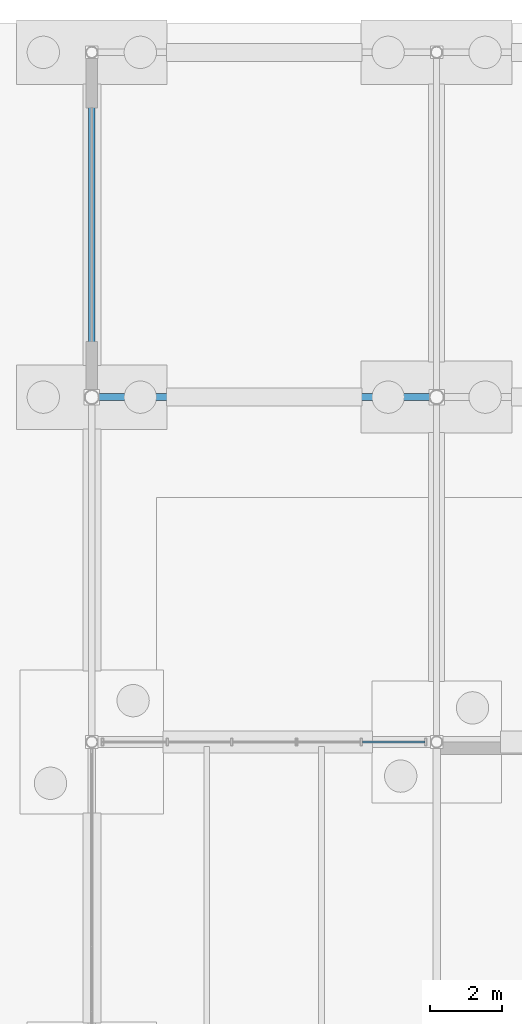
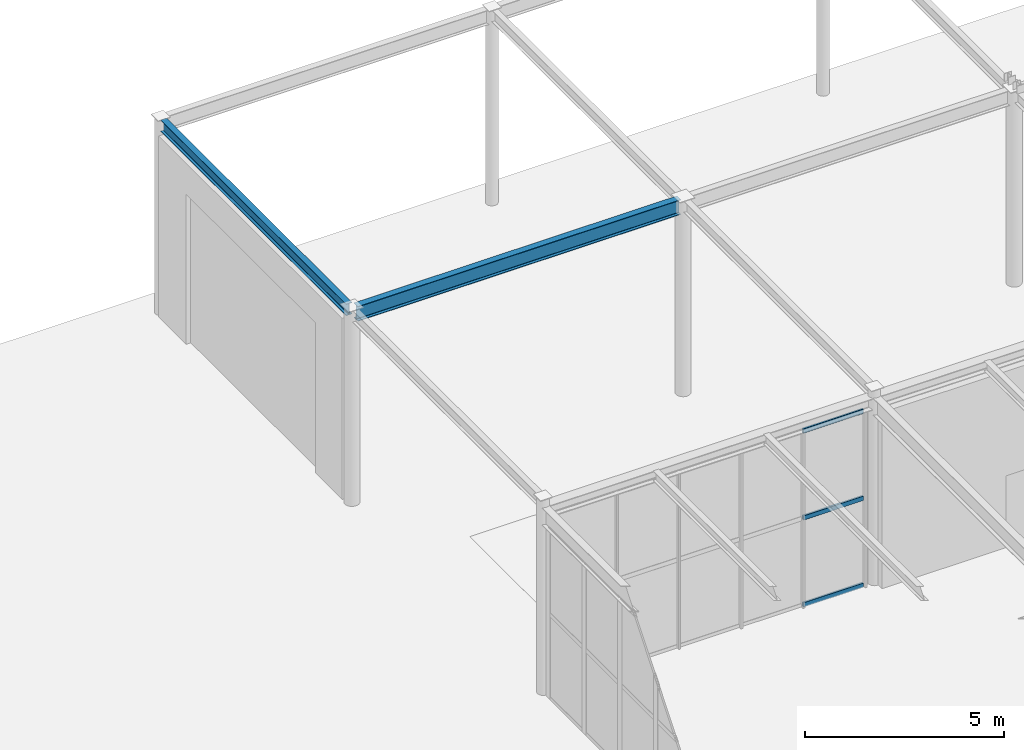
# One storey, part 76 of 142: 3 members, 2 beams, 1 element without a shape of its own.
"""IFC4 building model written with IfcOpenShell, lengths in metres."""

import ifcopenshell
import ifcopenshell.guid

model = None  # the IFC model being written
_history = None  # IfcOwnerHistory: only IFC2X3 demands one
_inside = {}  # id of a spatial element -> (the spatial element, [elements in it])
_under = {}  # id of a project, library or spatial element -> (it, [spatial elements below it])
_declared = {}  # id of a project -> (the project, [libraries it declares])
_typed = {}  # id of a type object -> (the type object, [elements of that type])
_made_of = {}  # id of a material, layer set ... -> (it, [elements and type objects made of it])


def new_model(schema):
    """Start an empty IFC model of exactly this schema.

    Asked for "IFC4X3", IfcOpenShell would pick the latest addendum, in which some entities
    have other attributes; the version numbers below select the first issue.
    IFC2X3 requires an IfcOwnerHistory on every rooted entity: one is made here for all.
    """
    global model, _history
    if schema == "IFC4X3":
        model = ifcopenshell.file(schema_version=(4, 3, 0, 0))
    else:
        model = ifcopenshell.file(schema=schema)
    _inside.clear()
    _under.clear()
    _declared.clear()
    _typed.clear()
    _made_of.clear()
    _history = None
    if model.schema == "IFC2X3":
        org = make("IfcOrganization", Name="unknown")
        user = make(
            "IfcPersonAndOrganization",
            ThePerson=make("IfcPerson", FamilyName="unknown"),
            TheOrganization=org,
        )
        app = make(
            "IfcApplication",
            ApplicationDeveloper=org,
            Version="unknown",
            ApplicationFullName="unknown",
            ApplicationIdentifier="unknown",
        )
        _history = make(
            "IfcOwnerHistory",
            OwningUser=user,
            OwningApplication=app,
            ChangeAction="ADDED",
            CreationDate=0,
        )
    return model


def make(cls, **values):
    """One entity of the class cls with the attributes given. An attribute that is None is left unset."""
    return model.create_entity(
        cls, **{name: value for name, value in values.items() if value is not None}
    )


def rooted(cls, **values):
    """An entity with a GlobalId (a new one), such as an element, a storey or a relation."""
    return make(cls, GlobalId=ifcopenshell.guid.new(), OwnerHistory=_history, **values)


def si_unit(unit_type, name, prefix=None):
    """IfcSIUnit, for example si_unit("LENGTHUNIT", "METRE", prefix="MILLI")."""
    return make("IfcSIUnit", UnitType=unit_type, Prefix=prefix, Name=name)


def assignment(units):
    """IfcUnitAssignment: the units of a project."""
    return None if units is None else make("IfcUnitAssignment", Units=units)


def point(xyz):
    """IfcCartesianPoint."""
    return None if xyz is None else make("IfcCartesianPoint", Coordinates=xyz)


def direction(xyz):
    """IfcDirection."""
    return None if xyz is None else make("IfcDirection", DirectionRatios=xyz)


def frame(location, z_axis=None, x_axis=None):
    """IfcAxis2Placement3D, a coordinate frame: its origin and axes. An axis left out is left unset."""
    return make(
        "IfcAxis2Placement3D",
        Location=point(location),
        Axis=direction(z_axis),
        RefDirection=direction(x_axis),
    )


def frame_2d(location, x_axis=None):
    """IfcAxis2Placement2D, a coordinate frame in the plane: its origin and x axis."""
    return make(
        "IfcAxis2Placement2D", Location=point(location), RefDirection=direction(x_axis)
    )


def origin():
    """The frame at (0, 0, 0) with its axes left unset."""
    return frame((0.0, 0.0, 0.0))


def origin_2d():
    """The frame at (0, 0) in the plane with its x axis left unset."""
    return frame_2d((0.0, 0.0))


def place(relative_to, where):
    """IfcLocalPlacement: puts the frame where relative to a parent placement (None: the world)."""
    return make(
        "IfcLocalPlacement", PlacementRelTo=relative_to, RelativePlacement=where
    )


def context(
    kind, dimensions, precision=None, world=None, true_north=None, identifier=None
):
    """IfcGeometricRepresentationContext, for example the 3D "Model" context."""
    return make(
        "IfcGeometricRepresentationContext",
        ContextIdentifier=identifier,
        ContextType=kind,
        CoordinateSpaceDimension=dimensions,
        Precision=precision,
        WorldCoordinateSystem=world,
        TrueNorth=true_north,
    )


def subcontext(parent, identifier, kind, view, scale=None):
    """IfcGeometricRepresentationSubContext, for example "Body" below "Model"."""
    return make(
        "IfcGeometricRepresentationSubContext",
        ContextIdentifier=identifier,
        ContextType=kind,
        ParentContext=parent,
        TargetScale=scale,
        TargetView=view,
    )


def project(units=None, contexts=None):
    """IfcProject with its units and contexts."""
    return rooted(
        "IfcProject",
        Name="project",
        RepresentationContexts=contexts,
        UnitsInContext=assignment(units),
    )


def spatial(cls, under=None, at=None, **own):
    """A site, building, storey or space (cls), placed at a placement, below another one or the project."""
    s = rooted(cls, ObjectPlacement=at, **own)
    if under is not None:
        _under.setdefault(under.id(), (under, []))[1].append(s)
    return s


def profile(cls, at=None, kind="AREA", **sizes):
    """A parametric profile (cls). Its sizes go by their IFC names, for example OverallWidth=200.0."""
    return make(cls, ProfileType=kind, Position=at, **sizes)


def hollow_rectangle(**sizes):
    """IfcRectangleHollowProfileDef."""
    return profile("IfcRectangleHollowProfileDef", **sizes)


def i_section(**sizes):
    """IfcIShapeProfileDef."""
    return profile("IfcIShapeProfileDef", **sizes)


def extrude(swept, where, along, depth):
    """IfcExtrudedAreaSolid: the profile swept, set in the frame where, extruded along a direction by depth."""
    return make(
        "IfcExtrudedAreaSolid",
        SweptArea=swept,
        Position=where,
        ExtrudedDirection=direction(along),
        Depth=depth,
    )


def shape(context_of_items, identifier, shape_type, items):
    """IfcShapeRepresentation: the items that make up one representation, for example the "Body"."""
    return make(
        "IfcShapeRepresentation",
        ContextOfItems=context_of_items,
        RepresentationIdentifier=identifier,
        RepresentationType=shape_type,
        Items=items,
    )


def material(Name=None, Category=None):
    """IfcMaterial."""
    return make("IfcMaterial", Name=Name, Category=Category)


def material_profile(
    of_material, cross_section, Name=None, Category=None, Priority=None
):
    """IfcMaterialProfile: a cross section and its material."""
    return make(
        "IfcMaterialProfile",
        Name=Name,
        Material=of_material,
        Profile=cross_section,
        Priority=Priority,
        Category=Category,
    )


def profile_set(profiles, Name=None, composite=None):
    """IfcMaterialProfileSet."""
    return make(
        "IfcMaterialProfileSet",
        Name=Name,
        MaterialProfiles=profiles,
        CompositeProfile=composite,
    )


def made_of(thing, what):
    """Note that an element or type object is made of a material, layer set ...; save() writes the relation."""
    if what is not None:
        _made_of.setdefault(what.id(), (what, []))[1].append(thing)
    return thing


def type_object(cls, material=None, **own):
    """A type object (cls), such as IfcWallType, which elements share."""
    return made_of(rooted(cls, **own), material)


def element(
    cls,
    number,
    at=None,
    inside=None,
    cuts=None,
    type_object=None,
    material=None,
    context=None,
    identifier="Body",
    shape_type=None,
    held_by="IfcProductDefinitionShape",
    body=None,
    shapes=None,
    **own,
):
    """One element of the class cls, such as IfcWall. Its Tag is "e" and its number.

    at: its placement. inside: the storey or other place that contains it. cuts: it is an
    opening in that element (IfcRelVoidsElement). A single representation is given by context,
    identifier, shape_type and body (its items); several are given by shapes. held_by: the class
    of the entity that holds the representations. save() writes the other relations.
    """
    e = rooted(cls, Tag="e%d" % number, ObjectPlacement=at, **own)
    if body is not None:
        shapes = [shape(context, identifier, shape_type, body)]
    if shapes is not None:
        e.Representation = make(held_by, Representations=shapes)
    if inside is not None:
        _inside.setdefault(inside.id(), (inside, []))[1].append(e)
    if cuts is not None:
        rooted(
            "IfcRelVoidsElement", RelatingBuildingElement=cuts, RelatedOpeningElement=e
        )
    if type_object is not None:
        _typed.setdefault(type_object.id(), (type_object, []))[1].append(e)
    return made_of(e, material)


def aggregate(whole, parts):
    """IfcRelAggregates: a whole, such as a stair, and the parts it consists of."""
    return rooted("IfcRelAggregates", RelatingObject=whole, RelatedObjects=parts)


def save(model, path):
    """Write the relations noted so far, then the file.

    IfcRelAggregates (storeys below a building ...), IfcRelContainedInSpatialStructure (elements
    in a storey), IfcRelDefinesByType, IfcRelAssociatesMaterial and IfcRelDeclares: one each for
    every whole, place, type object, material and project.
    """
    for whole, parts in _under.values():
        aggregate(whole, parts)
    for where, things in _inside.values():
        rooted(
            "IfcRelContainedInSpatialStructure",
            RelatedElements=things,
            RelatingStructure=where,
        )
    for kind, things in _typed.values():
        rooted("IfcRelDefinesByType", RelatedObjects=things, RelatingType=kind)
    for what, things in _made_of.values():
        rooted("IfcRelAssociatesMaterial", RelatedObjects=things, RelatingMaterial=what)
    for by, libraries in _declared.values():
        rooted("IfcRelDeclares", RelatingContext=by, RelatedDefinitions=libraries)
    model.write(path)


model = new_model("IFC4")

# Units and contexts
model_context = context("Model", 3, precision=1e-05, world=origin(), true_north=direction((0.0, 1.0)))
body_context = subcontext(model_context, "Body", "Model", "MODEL_VIEW")
ifc_project = project(units=[si_unit("LENGTHUNIT", "METRE"), si_unit("AREAUNIT", "SQUARE_METRE"), si_unit("VOLUMEUNIT", "CUBIC_METRE"), si_unit("PLANEANGLEUNIT", "RADIAN"), si_unit("MASSUNIT", "GRAM", prefix="KILO")], contexts=[model_context])

# Site, building, storey
site_placement = place(None, origin())
site = spatial("IfcSite", under=ifc_project, at=site_placement, CompositionType="ELEMENT")
building_placement = place(site_placement, origin())
building = spatial("IfcBuilding", under=site, at=building_placement, Name="Coralgate Yard Interchange", CompositionType="ELEMENT")
storey_placement = place(building_placement, origin())
storey = spatial("IfcBuildingStorey", under=building, at=storey_placement, Name="L00", CompositionType="ELEMENT", Elevation=0.0)

# Beams
ifc_material_1 = material(Name="Structural steel S355J2", Category="steel")
ifc_material_profile_1 = material_profile(ifc_material_1, i_section(OverallWidth=0.1904296875, OverallDepth=0.45703125, WebThickness=0.009033203125, FlangeThickness=0.014404296875, FilletRadius=0.01025390625, at=origin_2d()), Name="UB 457x191x74")
ifc_profile_set_1 = profile_set([ifc_material_profile_1], Name="Structural steel S355J2")
beam_type_1 = type_object("IfcBeamType", Name="BM-SB-2", PredefinedType="BEAM", material=ifc_profile_set_1)
beam_1_placement = place(storey_placement, frame((38.52001953125, 105.60009765625, 5.771484375), z_axis=(1.0, 0.0, 0.0), x_axis=(0.0, 1.0, 0.0)))
element("IfcBeam", 1, at=beam_1_placement, inside=storey, type_object=beam_type_1, Name="Wave-canopy valley support girder Y11-X4", PredefinedType="BEAM", context=body_context, shape_type="SweptSolid", body=[
    extrude(i_section(OverallWidth=0.1904296875, OverallDepth=0.45703125, WebThickness=0.009033203125, FlangeThickness=0.014404296875, FilletRadius=0.01025390625, at=origin_2d()), origin(), (0.0, 0.0, 1.0), 9.35986328125),
])
ifc_material_profile_2 = material_profile(ifc_material_1, i_section(OverallWidth=0.17138671875, OverallDepth=0.35498046875, WebThickness=0.00732421875, FlangeThickness=0.011474609375, FilletRadius=0.01025390625, at=origin_2d()), Name="UB 356x171x51")
ifc_profile_set_2 = profile_set([ifc_material_profile_2], Name="Structural steel S355J2")
beam_type_2 = type_object("IfcBeamType", Name="BM-SB-4", PredefinedType="BEAM", material=ifc_profile_set_2)
beam_2_placement = place(storey_placement, frame((38.39990234375, 105.739990234375, 5.822509765625), z_axis=(0.0, 1.0, 0.0), x_axis=(-1.0, 0.0, 0.0)))
element("IfcBeam", 2, at=beam_2_placement, inside=storey, type_object=beam_type_2, Name="Wave-canopy transverse girder X4-Y11", PredefinedType="BEAM", context=body_context, shape_type="SweptSolid", body=[
    extrude(i_section(OverallWidth=0.17138671875, OverallDepth=0.35498046875, WebThickness=0.00732421875, FlangeThickness=0.011474609375, FilletRadius=0.01025390625, at=origin_2d()), origin(), (0.0, 0.0, 1.0), 9.320068359375),
])

# Curtain wall, members
ifc_material_2 = material(Name="Anodised coastal aluminium and solar-control low-E glass", Category="aluminium")
curtain_wall_type = type_object("IfcCurtainWallType", Name="CW-CW-L00-B", PredefinedType="NOTDEFINED", material=ifc_material_2)
curtain_wall_placement = place(storey_placement, origin())
curtain_wall = element("IfcCurtainWall", 3, at=curtain_wall_placement, inside=storey, type_object=curtain_wall_type, Name="L00 unitised curtain wall CW-L00-N-04-09", PredefinedType="NOTDEFINED")
ifc_material_3 = material(Name="Anodised coastal aluminium 6063-T6", Category="aluminium")
ifc_material_profile_3 = material_profile(ifc_material_3, hollow_rectangle(XDim=0.06005859375, YDim=0.139892578125, WallThickness=0.00341796875, InnerFilletRadius=0.00341796875, OuterFilletRadius=0.007080078125, at=origin_2d()), Name="ALU 60x140x3.5")
ifc_profile_set_3 = profile_set([ifc_material_profile_3], Name="Anodised coastal aluminium 6063-T6")
member_type = type_object("IfcMemberType", Name="MB-TRN-140", PredefinedType="USERDEFINED", material=ifc_profile_set_3)
member_1_placement = place(storey_placement, frame((45.929931640625, 96.0, 0.034912109375), z_axis=(1.0, 0.0, 0.0), x_axis=(0.0, 1.0, 0.0)))
member_1 = element("IfcMember", 4, at=member_1_placement, type_object=member_type, Name="CW-L00-N-04-09 horizontal transom 5-1", ObjectType="TRANSOM", PredefinedType="USERDEFINED", context=body_context, shape_type="SweptSolid", body=[
    extrude(hollow_rectangle(XDim=0.06005859375, YDim=0.139892578125, WallThickness=0.00341796875, InnerFilletRadius=0.00341796875, OuterFilletRadius=0.007080078125, at=origin_2d()), origin(), (0.0, 0.0, 1.0), 1.739990234375),
])
member_2_placement = place(storey_placement, frame((45.929931640625, 96.0, 2.699951171875), z_axis=(1.0, 0.0, 0.0), x_axis=(0.0, 1.0, 0.0)))
member_2 = element("IfcMember", 5, at=member_2_placement, type_object=member_type, Name="CW-L00-N-04-09 horizontal transom 5-2", ObjectType="TRANSOM", PredefinedType="USERDEFINED", context=body_context, shape_type="SweptSolid", body=[
    extrude(hollow_rectangle(XDim=0.06005859375, YDim=0.139892578125, WallThickness=0.00341796875, InnerFilletRadius=0.00341796875, OuterFilletRadius=0.007080078125, at=origin_2d()), origin(), (0.0, 0.0, 1.0), 1.739990234375),
])
member_3_placement = place(storey_placement, frame((45.929931640625, 96.0, 5.364990234375), z_axis=(1.0, 0.0, 0.0), x_axis=(0.0, 1.0, 0.0)))
member_3 = element("IfcMember", 6, at=member_3_placement, type_object=member_type, Name="CW-L00-N-04-09 horizontal transom 5-3", ObjectType="TRANSOM", PredefinedType="USERDEFINED", context=body_context, shape_type="SweptSolid", body=[
    extrude(hollow_rectangle(XDim=0.06005859375, YDim=0.139892578125, WallThickness=0.00341796875, InnerFilletRadius=0.00341796875, OuterFilletRadius=0.007080078125, at=origin_2d()), origin(), (0.0, 0.0, 1.0), 1.739990234375),
])
aggregate(curtain_wall, [member_1, member_2, member_3])

save(model, "model.ifc")
